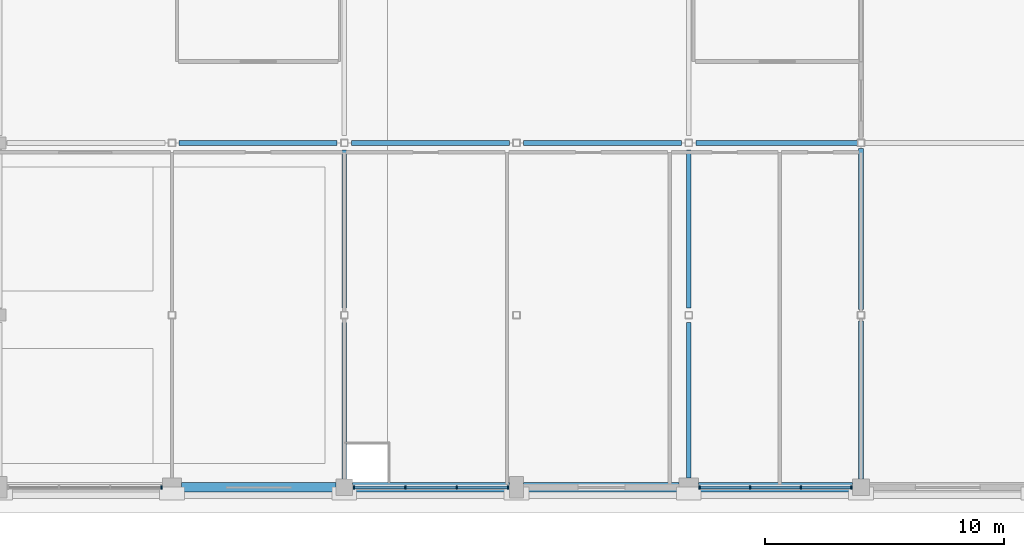
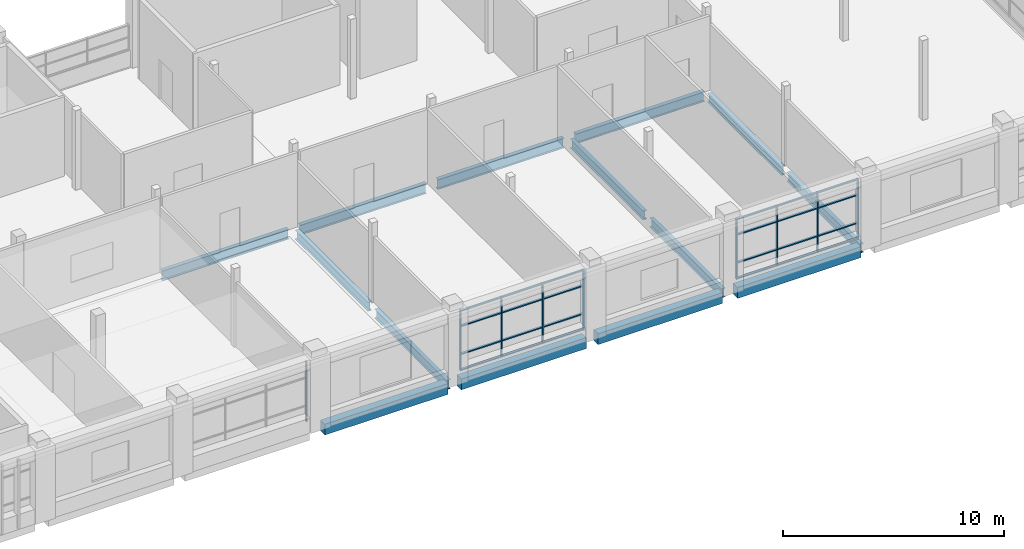
# One storey, part 19 of 71: 33 members, 14 beams, 3 elements without a shape of their own.
"""IFC4 building model written with IfcOpenShell, lengths in metres."""

from ifc_helpers import new_model, si_unit, direction, frame, origin, origin_2d, place, context, subcontext, project, spatial, rectangle, i_section, extrude, material, material_profile, profile_set, type_object, element, aggregate, save


model = new_model("IFC4")

# Units and contexts
model_context = context("Model", 3, precision=1e-05, world=origin(), true_north=direction((0.0, 1.0)))
body_context = subcontext(model_context, "Body", "Model", "MODEL_VIEW")
ifc_project = project(units=[si_unit("LENGTHUNIT", "METRE"), si_unit("AREAUNIT", "SQUARE_METRE"), si_unit("VOLUMEUNIT", "CUBIC_METRE"), si_unit("PLANEANGLEUNIT", "RADIAN"), si_unit("MASSUNIT", "GRAM", prefix="KILO")], contexts=[model_context])

# Site, building, storey
site_placement = place(None, origin())
site = spatial("IfcSite", under=ifc_project, at=site_placement, CompositionType="ELEMENT")
building_placement = place(site_placement, origin())
building = spatial("IfcBuilding", under=site, at=building_placement, Name="Sardonyx Promenade Sports Hall", CompositionType="ELEMENT")
storey_placement = place(building_placement, frame((0.0, 0.0, 16.0)))
storey = spatial("IfcBuildingStorey", under=building, at=storey_placement, Name="L03", CompositionType="ELEMENT", Elevation=16.0)

# Beams
ifc_material_1 = material(Name="Steel S355JR", Category="steel")
ifc_material_profile_1 = material_profile(ifc_material_1, i_section(OverallWidth=0.199951171875, OverallDepth=0.5, WebThickness=0.01025390625, FlangeThickness=0.01611328125, at=origin_2d()))
ifc_profile_set_1 = profile_set([ifc_material_profile_1], Name="Steel S355JR")
beam_type_1 = type_object("IfcBeamType", Name="Bm_Primary_IPE500", PredefinedType="BEAM", material=ifc_profile_set_1)
beam_1_placement = place(storey_placement, frame((72.0, 0.35009765625, -0.52001953125), z_axis=(0.0, 1.0, 0.0), x_axis=(-1.0, 0.0, 0.0)))
element("IfcBeam", 1, at=beam_1_placement, inside=storey, type_object=beam_type_1, Name="Beam SB06 L03 #849", PredefinedType="BEAM", context=body_context, shape_type="SweptSolid", body=[
    extrude(i_section(OverallWidth=0.199951171875, OverallDepth=0.5, WebThickness=0.01025390625, FlangeThickness=0.01611328125, at=origin_2d()), origin(), (0.0, 0.0, 1.0), 6.5498046875),
])
beam_2_placement = place(storey_placement, frame((72.0, 7.5, -0.52001953125), z_axis=(0.0, 1.0, 0.0), x_axis=(-1.0, 0.0, 0.0)))
element("IfcBeam", 2, at=beam_2_placement, inside=storey, type_object=beam_type_1, Name="Beam SB06 L03 #850", PredefinedType="BEAM", context=body_context, shape_type="SweptSolid", body=[
    extrude(i_section(OverallWidth=0.199951171875, OverallDepth=0.5, WebThickness=0.01025390625, FlangeThickness=0.01611328125, at=origin_2d()), origin(), (0.0, 0.0, 1.0), 6.60009765625),
])
beam_3_placement = place(storey_placement, frame((86.39990234375, 0.39990234375, -0.52001953125), z_axis=(0.0, 1.0, 0.0), x_axis=(-1.0, 0.0, 0.0)))
element("IfcBeam", 3, at=beam_3_placement, inside=storey, type_object=beam_type_1, Name="Beam SB06 L03 #857", PredefinedType="BEAM", context=body_context, shape_type="SweptSolid", body=[
    extrude(i_section(OverallWidth=0.199951171875, OverallDepth=0.5, WebThickness=0.01025390625, FlangeThickness=0.01611328125, at=origin_2d()), origin(), (0.0, 0.0, 1.0), 6.5),
])
beam_4_placement = place(storey_placement, frame((86.39990234375, 7.5, -0.52001953125), z_axis=(0.0, 1.0, 0.0), x_axis=(-1.0, 0.0, 0.0)))
element("IfcBeam", 4, at=beam_4_placement, inside=storey, type_object=beam_type_1, Name="Beam SB06 L03 #858", PredefinedType="BEAM", context=body_context, shape_type="SweptSolid", body=[
    extrude(i_section(OverallWidth=0.199951171875, OverallDepth=0.5, WebThickness=0.01025390625, FlangeThickness=0.01611328125, at=origin_2d()), origin(), (0.0, 0.0, 1.0), 6.60009765625),
])
beam_5_placement = place(storey_placement, frame((93.60009765625, 0.35009765625, -0.5400390625), z_axis=(0.0, 1.0, 0.0), x_axis=(-1.0, 0.0, 0.0)))
element("IfcBeam", 5, at=beam_5_placement, inside=storey, type_object=beam_type_1, Name="Beam SB06 L03 #861", PredefinedType="BEAM", context=body_context, shape_type="SweptSolid", body=[
    extrude(i_section(OverallWidth=0.199951171875, OverallDepth=0.5, WebThickness=0.01025390625, FlangeThickness=0.01611328125, at=origin_2d()), origin(), (0.0, 0.0, 1.0), 6.60498046875),
])
beam_6_placement = place(storey_placement, frame((93.60009765625, 7.445068359375, -0.5400390625), z_axis=(0.0, 1.0, 0.0), x_axis=(-1.0, 0.0, 0.0)))
element("IfcBeam", 6, at=beam_6_placement, inside=storey, type_object=beam_type_1, Name="Beam SB06 L03 #862", PredefinedType="BEAM", context=body_context, shape_type="SweptSolid", body=[
    extrude(i_section(OverallWidth=0.199951171875, OverallDepth=0.5, WebThickness=0.01025390625, FlangeThickness=0.01611328125, at=origin_2d()), origin(), (0.0, 0.0, 1.0), 6.7099609375),
])
ifc_material_2 = material(Name="Steel S355JR", Category="steel")
ifc_material_profile_2 = material_profile(ifc_material_2, i_section(OverallWidth=0.2099609375, OverallDepth=0.550048828125, WebThickness=0.010986328125, FlangeThickness=0.01708984375, at=origin_2d()))
ifc_profile_set_2 = profile_set([ifc_material_profile_2], Name="Steel S355JR")
beam_type_2 = type_object("IfcBeamType", Name="Bm_Primary_IPE550", PredefinedType="BEAM", material=ifc_profile_set_2)
for number, where, z_axis, x_axis, name in (
    (7, (65.10009765625, 14.39990234375, -0.544921875), (1.0, 0.0, 0.0), (0.0, 1.0, 0.0), "Beam SB03 L03 #738"),
    (8, (72.300048828125, 14.39990234375, -0.544921875), (1.0, 0.0, 0.0), (0.0, 1.0, 0.0), "Beam SB03 L03 #739"),
):
    element("IfcBeam", number, at=place(storey_placement, frame(where, z_axis=z_axis, x_axis=x_axis)), inside=storey, type_object=beam_type_2, Name=name, PredefinedType="BEAM", context=body_context, shape_type="SweptSolid", body=[
        extrude(i_section(OverallWidth=0.2099609375, OverallDepth=0.550048828125, WebThickness=0.010986328125, FlangeThickness=0.01708984375, at=origin_2d()), origin(), (0.0, 0.0, 1.0), 6.599853515625),
    ])
beam_7_placement = place(storey_placement, frame((79.5, 14.39990234375, -0.544921875), z_axis=(1.0, 0.0, 0.0), x_axis=(0.0, 1.0, 0.0)))
element("IfcBeam", 9, at=beam_7_placement, inside=storey, type_object=beam_type_2, Name="Beam SB03 L03 #740", PredefinedType="BEAM", context=body_context, shape_type="SweptSolid", body=[
    extrude(i_section(OverallWidth=0.2099609375, OverallDepth=0.550048828125, WebThickness=0.010986328125, FlangeThickness=0.01708984375, at=origin_2d()), origin(), (0.0, 0.0, 1.0), 6.60009765625),
])
beam_8_placement = place(storey_placement, frame((86.699951171875, 14.39990234375, -0.544921875), z_axis=(1.0, 0.0, 0.0), x_axis=(0.0, 1.0, 0.0)))
element("IfcBeam", 10, at=beam_8_placement, inside=storey, type_object=beam_type_2, Name="Beam SB03 L03 #741", PredefinedType="BEAM", context=body_context, shape_type="SweptSolid", body=[
    extrude(i_section(OverallWidth=0.2099609375, OverallDepth=0.550048828125, WebThickness=0.010986328125, FlangeThickness=0.01708984375, at=origin_2d()), origin(), (0.0, 0.0, 1.0), 6.75),
])
ifc_material_3 = material(Name="Concrete C40/50", Category="concrete")
ifc_material_profile_3 = material_profile(ifc_material_3, rectangle(XDim=0.39990234375, YDim=0.60009765625, at=origin_2d()))
ifc_profile_set_3 = profile_set([ifc_material_profile_3], Name="Concrete C40/50")
beam_type_3 = type_object("IfcBeamType", Name="Bm_Spandrel_RC600", PredefinedType="SPANDREL", material=ifc_profile_set_3)
beam_9_placement = place(storey_placement, frame((65.199951171875, 0.0, -0.300048828125), z_axis=(1.0, 0.0, 0.0), x_axis=(0.0, 1.0, 0.0)))
element("IfcBeam", 11, at=beam_9_placement, inside=storey, type_object=beam_type_3, Name="Beam SPB1 L03 #715", PredefinedType="SPANDREL", context=body_context, shape_type="SweptSolid", body=[
    extrude(rectangle(XDim=0.39990234375, YDim=0.60009765625, at=origin_2d()), origin(), (0.0, 0.0, 1.0), 6.449951171875),
])
beam_10_placement = place(storey_placement, frame((72.35009765625, 0.0, -0.300048828125), z_axis=(1.0, 0.0, 0.0), x_axis=(0.0, 1.0, 0.0)))
element("IfcBeam", 12, at=beam_10_placement, inside=storey, type_object=beam_type_3, Name="Beam SPB1 L03 #716", PredefinedType="SPANDREL", context=body_context, shape_type="SweptSolid", body=[
    extrude(rectangle(XDim=0.39990234375, YDim=0.60009765625, at=origin_2d()), origin(), (0.0, 0.0, 1.0), 6.5498046875),
])
beam_11_placement = place(storey_placement, frame((79.5, 0.0, -0.300048828125), z_axis=(1.0, 0.0, 0.0), x_axis=(0.0, 1.0, 0.0)))
element("IfcBeam", 13, at=beam_11_placement, inside=storey, type_object=beam_type_3, Name="Beam SPB1 L03 #717", PredefinedType="SPANDREL", context=body_context, shape_type="SweptSolid", body=[
    extrude(rectangle(XDim=0.39990234375, YDim=0.60009765625, at=origin_2d()), origin(), (0.0, 0.0, 1.0), 6.5),
])
beam_12_placement = place(storey_placement, frame((86.800048828125, 0.0, -0.300048828125), z_axis=(1.0, 0.0, 0.0), x_axis=(0.0, 1.0, 0.0)))
element("IfcBeam", 14, at=beam_12_placement, inside=storey, type_object=beam_type_3, Name="Beam SPB1 L03 #718", PredefinedType="SPANDREL", context=body_context, shape_type="SweptSolid", body=[
    extrude(rectangle(XDim=0.39990234375, YDim=0.60009765625, at=origin_2d()), origin(), (0.0, 0.0, 1.0), 6.449951171875),
])

# Curtain wall, members
ifc_material_4 = material(Name="Aluminium 6063-T6", Category="aluminium")
curtain_wall_type = type_object("IfcCurtainWallType", Name="CW_South_L03_640", PredefinedType="USERDEFINED", material=ifc_material_4)
curtain_wall_1_placement = place(storey_placement, origin())
curtain_wall_1 = element("IfcCurtainWall", 15, at=curtain_wall_1_placement, inside=storey, type_object=curtain_wall_type, Name="Curtain wall CW14 cw:L03:042", ObjectType="CURTAIN WALL", PredefinedType="USERDEFINED")
ifc_material_5 = material(Name="Aluminium 6063-T6", Category="aluminium")
ifc_material_profile_4 = material_profile(ifc_material_5, rectangle(XDim=0.06005859375, YDim=0.14990234375, at=origin_2d()))
ifc_profile_set_4 = profile_set([ifc_material_profile_4], Name="Aluminium 6063-T6")
member_type_1 = type_object("IfcMemberType", Name="CW_Mull_150", PredefinedType="MULLION", material=ifc_profile_set_4)
member_1_placement = place(storey_placement, frame((93.199951171875, 0.0, 0.35009765625), z_axis=(0.0, 0.0, 1.0), x_axis=(-1.0, 0.0, 0.0)))
member_1 = element("IfcMember", 16, at=member_1_placement, type_object=member_type_1, Name="Mullion CM01 cw:L03:042 #1", PredefinedType="MULLION", context=body_context, shape_type="SweptSolid", body=[
    extrude(rectangle(XDim=0.06005859375, YDim=0.14990234375, at=origin_2d()), origin(), (0.0, 0.0, 1.0), 3.324951171875),
])
member_2_placement = place(storey_placement, frame((91.083251953125, 0.0, 0.35009765625), z_axis=(0.0, 0.0, 1.0), x_axis=(-1.0, 0.0, 0.0)))
member_2 = element("IfcMember", 17, at=member_2_placement, type_object=member_type_1, Name="Mullion CM01 cw:L03:042 #2", PredefinedType="MULLION", context=body_context, shape_type="SweptSolid", body=[
    extrude(rectangle(XDim=0.06005859375, YDim=0.14990234375, at=origin_2d()), origin(), (0.0, 0.0, 1.0), 3.324951171875),
])
member_3_placement = place(storey_placement, frame((88.966552734375, 0.0, 0.35009765625), z_axis=(0.0, 0.0, 1.0), x_axis=(-1.0, 0.0, 0.0)))
member_3 = element("IfcMember", 18, at=member_3_placement, type_object=member_type_1, Name="Mullion CM01 cw:L03:042 #3", PredefinedType="MULLION", context=body_context, shape_type="SweptSolid", body=[
    extrude(rectangle(XDim=0.06005859375, YDim=0.14990234375, at=origin_2d()), origin(), (0.0, 0.0, 1.0), 3.324951171875),
])
member_4_placement = place(storey_placement, frame((86.85009765625, 0.0, 0.35009765625), z_axis=(0.0, 0.0, 1.0), x_axis=(-1.0, 0.0, 0.0)))
member_4 = element("IfcMember", 19, at=member_4_placement, type_object=member_type_1, Name="Mullion CM01 cw:L03:042 #4", PredefinedType="MULLION", context=body_context, shape_type="SweptSolid", body=[
    extrude(rectangle(XDim=0.06005859375, YDim=0.14990234375, at=origin_2d()), origin(), (0.0, 0.0, 1.0), 3.324951171875),
])

curtain_wall_2_placement = place(storey_placement, origin())
curtain_wall_2 = element("IfcCurtainWall", 20, at=curtain_wall_2_placement, inside=storey, type_object=curtain_wall_type, Name="Curtain wall CW14 cw:L03:043", ObjectType="CURTAIN WALL", PredefinedType="USERDEFINED")
member_5_placement = place(storey_placement, frame((78.85009765625, 0.0, 0.35009765625), z_axis=(0.0, 0.0, 1.0), x_axis=(-1.0, 0.0, 0.0)))
member_5 = element("IfcMember", 21, at=member_5_placement, type_object=member_type_1, Name="Mullion CM01 cw:L03:043 #1", PredefinedType="MULLION", context=body_context, shape_type="SweptSolid", body=[
    extrude(rectangle(XDim=0.06005859375, YDim=0.14990234375, at=origin_2d()), origin(), (0.0, 0.0, 1.0), 3.324951171875),
])
member_6_placement = place(storey_placement, frame((76.699951171875, 0.0, 0.35009765625), z_axis=(0.0, 0.0, 1.0), x_axis=(-1.0, 0.0, 0.0)))
member_6 = element("IfcMember", 22, at=member_6_placement, type_object=member_type_1, Name="Mullion CM01 cw:L03:043 #2", PredefinedType="MULLION", context=body_context, shape_type="SweptSolid", body=[
    extrude(rectangle(XDim=0.06005859375, YDim=0.14990234375, at=origin_2d()), origin(), (0.0, 0.0, 1.0), 3.324951171875),
])
member_7_placement = place(storey_placement, frame((74.550048828125, 0.0, 0.35009765625), z_axis=(0.0, 0.0, 1.0), x_axis=(-1.0, 0.0, 0.0)))
member_7 = element("IfcMember", 23, at=member_7_placement, type_object=member_type_1, Name="Mullion CM01 cw:L03:043 #3", PredefinedType="MULLION", context=body_context, shape_type="SweptSolid", body=[
    extrude(rectangle(XDim=0.06005859375, YDim=0.14990234375, at=origin_2d()), origin(), (0.0, 0.0, 1.0), 3.324951171875),
])
member_8_placement = place(storey_placement, frame((72.39990234375, 0.0, 0.35009765625), z_axis=(0.0, 0.0, 1.0), x_axis=(-1.0, 0.0, 0.0)))
member_8 = element("IfcMember", 24, at=member_8_placement, type_object=member_type_1, Name="Mullion CM01 cw:L03:043 #4", PredefinedType="MULLION", context=body_context, shape_type="SweptSolid", body=[
    extrude(rectangle(XDim=0.06005859375, YDim=0.14990234375, at=origin_2d()), origin(), (0.0, 0.0, 1.0), 3.324951171875),
])

# Curtain wall, member
curtain_wall_3_placement = place(storey_placement, origin())
curtain_wall_3 = element("IfcCurtainWall", 25, at=curtain_wall_3_placement, inside=storey, type_object=curtain_wall_type, Name="Curtain wall CW14 cw:L03:044", ObjectType="CURTAIN WALL", PredefinedType="USERDEFINED")
member_9_placement = place(storey_placement, frame((64.35009765625, 0.0, 0.35009765625), z_axis=(0.0, 0.0, 1.0), x_axis=(-1.0, 0.0, 0.0)))
member_9 = element("IfcMember", 26, at=member_9_placement, type_object=member_type_1, Name="Mullion CM01 cw:L03:044 #1", PredefinedType="MULLION", context=body_context, shape_type="SweptSolid", body=[
    extrude(rectangle(XDim=0.06005859375, YDim=0.14990234375, at=origin_2d()), origin(), (0.0, 0.0, 1.0), 3.324951171875),
])
aggregate(curtain_wall_3, [member_9])

# Member
ifc_material_6 = material(Name="Aluminium 6063-T6", Category="aluminium")
ifc_material_profile_5 = material_profile(ifc_material_6, rectangle(XDim=0.06005859375, YDim=0.1201171875, at=origin_2d()))
ifc_profile_set_5 = profile_set([ifc_material_profile_5], Name="Aluminium 6063-T6")
member_type_2 = type_object("IfcMemberType", Name="CW_Tran_120", PredefinedType="USERDEFINED", material=ifc_profile_set_5)
member_10_placement = place(storey_placement, frame((93.169921875, 0.0, 0.3798828125), z_axis=(-1.0, 0.0, 0.0), x_axis=(0.0, 0.0, 1.0)))
member_10 = element("IfcMember", 27, at=member_10_placement, type_object=member_type_2, Name="Transom CT01 cw:L03:042 #1", ObjectType="TRANSOM", PredefinedType="USERDEFINED", context=body_context, shape_type="SweptSolid", body=[
    extrude(rectangle(XDim=0.06005859375, YDim=0.1201171875, at=origin_2d()), origin(), (0.0, 0.0, 1.0), 2.056640625),
])

member_11_placement = place(storey_placement, frame((93.169921875, 0.0, 1.25), z_axis=(-1.0, 0.0, 0.0), x_axis=(0.0, 0.0, 1.0)))
member_11 = element("IfcMember", 28, at=member_11_placement, type_object=member_type_2, Name="Transom CT01 cw:L03:042 #2", ObjectType="TRANSOM", PredefinedType="USERDEFINED", context=body_context, shape_type="SweptSolid", body=[
    extrude(rectangle(XDim=0.06005859375, YDim=0.1201171875, at=origin_2d()), origin(), (0.0, 0.0, 1.0), 2.056640625),
])

member_12_placement = place(storey_placement, frame((93.169921875, 0.0, 2.800048828125), z_axis=(-1.0, 0.0, 0.0), x_axis=(0.0, 0.0, 1.0)))
member_12 = element("IfcMember", 29, at=member_12_placement, type_object=member_type_2, Name="Transom CT01 cw:L03:042 #3", ObjectType="TRANSOM", PredefinedType="USERDEFINED", context=body_context, shape_type="SweptSolid", body=[
    extrude(rectangle(XDim=0.06005859375, YDim=0.1201171875, at=origin_2d()), origin(), (0.0, 0.0, 1.0), 2.056640625),
])

member_13_placement = place(storey_placement, frame((93.169921875, 0.0, 3.64501953125), z_axis=(-1.0, 0.0, 0.0), x_axis=(0.0, 0.0, 1.0)))
member_13 = element("IfcMember", 30, at=member_13_placement, type_object=member_type_2, Name="Transom CT01 cw:L03:042 #4", ObjectType="TRANSOM", PredefinedType="USERDEFINED", context=body_context, shape_type="SweptSolid", body=[
    extrude(rectangle(XDim=0.06005859375, YDim=0.1201171875, at=origin_2d()), origin(), (0.0, 0.0, 1.0), 2.056640625),
])

member_14_placement = place(storey_placement, frame((91.05322265625, 0.0, 0.3798828125), z_axis=(-1.0, 0.0, 0.0), x_axis=(0.0, 0.0, 1.0)))
member_14 = element("IfcMember", 31, at=member_14_placement, type_object=member_type_2, Name="Transom CT01 cw:L03:042 #5", ObjectType="TRANSOM", PredefinedType="USERDEFINED", context=body_context, shape_type="SweptSolid", body=[
    extrude(rectangle(XDim=0.06005859375, YDim=0.1201171875, at=origin_2d()), origin(), (0.0, 0.0, 1.0), 2.056640625),
])

member_15_placement = place(storey_placement, frame((91.05322265625, 0.0, 1.25), z_axis=(-1.0, 0.0, 0.0), x_axis=(0.0, 0.0, 1.0)))
member_15 = element("IfcMember", 32, at=member_15_placement, type_object=member_type_2, Name="Transom CT01 cw:L03:042 #6", ObjectType="TRANSOM", PredefinedType="USERDEFINED", context=body_context, shape_type="SweptSolid", body=[
    extrude(rectangle(XDim=0.06005859375, YDim=0.1201171875, at=origin_2d()), origin(), (0.0, 0.0, 1.0), 2.056640625),
])

member_16_placement = place(storey_placement, frame((91.05322265625, 0.0, 2.800048828125), z_axis=(-1.0, 0.0, 0.0), x_axis=(0.0, 0.0, 1.0)))
member_16 = element("IfcMember", 33, at=member_16_placement, type_object=member_type_2, Name="Transom CT01 cw:L03:042 #7", ObjectType="TRANSOM", PredefinedType="USERDEFINED", context=body_context, shape_type="SweptSolid", body=[
    extrude(rectangle(XDim=0.06005859375, YDim=0.1201171875, at=origin_2d()), origin(), (0.0, 0.0, 1.0), 2.056640625),
])

member_17_placement = place(storey_placement, frame((91.05322265625, 0.0, 3.64501953125), z_axis=(-1.0, 0.0, 0.0), x_axis=(0.0, 0.0, 1.0)))
member_17 = element("IfcMember", 34, at=member_17_placement, type_object=member_type_2, Name="Transom CT01 cw:L03:042 #8", ObjectType="TRANSOM", PredefinedType="USERDEFINED", context=body_context, shape_type="SweptSolid", body=[
    extrude(rectangle(XDim=0.06005859375, YDim=0.1201171875, at=origin_2d()), origin(), (0.0, 0.0, 1.0), 2.056640625),
])

member_18_placement = place(storey_placement, frame((88.936767578125, 0.0, 0.3798828125), z_axis=(-1.0, 0.0, 0.0), x_axis=(0.0, 0.0, 1.0)))
member_18 = element("IfcMember", 35, at=member_18_placement, type_object=member_type_2, Name="Transom CT01 cw:L03:042 #9", ObjectType="TRANSOM", PredefinedType="USERDEFINED", context=body_context, shape_type="SweptSolid", body=[
    extrude(rectangle(XDim=0.06005859375, YDim=0.1201171875, at=origin_2d()), origin(), (0.0, 0.0, 1.0), 2.056884765625),
])

member_19_placement = place(storey_placement, frame((88.936767578125, 0.0, 1.25), z_axis=(-1.0, 0.0, 0.0), x_axis=(0.0, 0.0, 1.0)))
member_19 = element("IfcMember", 36, at=member_19_placement, type_object=member_type_2, Name="Transom CT01 cw:L03:042 #10", ObjectType="TRANSOM", PredefinedType="USERDEFINED", context=body_context, shape_type="SweptSolid", body=[
    extrude(rectangle(XDim=0.06005859375, YDim=0.1201171875, at=origin_2d()), origin(), (0.0, 0.0, 1.0), 2.056884765625),
])

member_20_placement = place(storey_placement, frame((88.936767578125, 0.0, 2.800048828125), z_axis=(-1.0, 0.0, 0.0), x_axis=(0.0, 0.0, 1.0)))
member_20 = element("IfcMember", 37, at=member_20_placement, type_object=member_type_2, Name="Transom CT01 cw:L03:042 #11", ObjectType="TRANSOM", PredefinedType="USERDEFINED", context=body_context, shape_type="SweptSolid", body=[
    extrude(rectangle(XDim=0.06005859375, YDim=0.1201171875, at=origin_2d()), origin(), (0.0, 0.0, 1.0), 2.056884765625),
])

member_21_placement = place(storey_placement, frame((88.936767578125, 0.0, 3.64501953125), z_axis=(-1.0, 0.0, 0.0), x_axis=(0.0, 0.0, 1.0)))
member_21 = element("IfcMember", 38, at=member_21_placement, type_object=member_type_2, Name="Transom CT01 cw:L03:042 #12", ObjectType="TRANSOM", PredefinedType="USERDEFINED", context=body_context, shape_type="SweptSolid", body=[
    extrude(rectangle(XDim=0.06005859375, YDim=0.1201171875, at=origin_2d()), origin(), (0.0, 0.0, 1.0), 2.056884765625),
])

aggregate(curtain_wall_1, [member_1, member_2, member_3, member_4, member_10, member_11, member_12, member_13, member_14, member_15, member_16, member_17, member_18, member_19, member_20, member_21])

member_22_placement = place(storey_placement, frame((78.820068359375, 0.0, 0.3798828125), z_axis=(-1.0, 0.0, 0.0), x_axis=(0.0, 0.0, 1.0)))
member_22 = element("IfcMember", 39, at=member_22_placement, type_object=member_type_2, Name="Transom CT01 cw:L03:043 #1", ObjectType="TRANSOM", PredefinedType="USERDEFINED", context=body_context, shape_type="SweptSolid", body=[
    extrude(rectangle(XDim=0.06005859375, YDim=0.1201171875, at=origin_2d()), origin(), (0.0, 0.0, 1.0), 2.090087890625),
])

member_23_placement = place(storey_placement, frame((78.820068359375, 0.0, 1.25), z_axis=(-1.0, 0.0, 0.0), x_axis=(0.0, 0.0, 1.0)))
member_23 = element("IfcMember", 40, at=member_23_placement, type_object=member_type_2, Name="Transom CT01 cw:L03:043 #2", ObjectType="TRANSOM", PredefinedType="USERDEFINED", context=body_context, shape_type="SweptSolid", body=[
    extrude(rectangle(XDim=0.06005859375, YDim=0.1201171875, at=origin_2d()), origin(), (0.0, 0.0, 1.0), 2.090087890625),
])

member_24_placement = place(storey_placement, frame((78.820068359375, 0.0, 2.800048828125), z_axis=(-1.0, 0.0, 0.0), x_axis=(0.0, 0.0, 1.0)))
member_24 = element("IfcMember", 41, at=member_24_placement, type_object=member_type_2, Name="Transom CT01 cw:L03:043 #3", ObjectType="TRANSOM", PredefinedType="USERDEFINED", context=body_context, shape_type="SweptSolid", body=[
    extrude(rectangle(XDim=0.06005859375, YDim=0.1201171875, at=origin_2d()), origin(), (0.0, 0.0, 1.0), 2.090087890625),
])

member_25_placement = place(storey_placement, frame((78.820068359375, 0.0, 3.64501953125), z_axis=(-1.0, 0.0, 0.0), x_axis=(0.0, 0.0, 1.0)))
member_25 = element("IfcMember", 42, at=member_25_placement, type_object=member_type_2, Name="Transom CT01 cw:L03:043 #4", ObjectType="TRANSOM", PredefinedType="USERDEFINED", context=body_context, shape_type="SweptSolid", body=[
    extrude(rectangle(XDim=0.06005859375, YDim=0.1201171875, at=origin_2d()), origin(), (0.0, 0.0, 1.0), 2.090087890625),
])

member_26_placement = place(storey_placement, frame((76.669921875, 0.0, 0.3798828125), z_axis=(-1.0, 0.0, 0.0), x_axis=(0.0, 0.0, 1.0)))
member_26 = element("IfcMember", 43, at=member_26_placement, type_object=member_type_2, Name="Transom CT01 cw:L03:043 #5", ObjectType="TRANSOM", PredefinedType="USERDEFINED", context=body_context, shape_type="SweptSolid", body=[
    extrude(rectangle(XDim=0.06005859375, YDim=0.1201171875, at=origin_2d()), origin(), (0.0, 0.0, 1.0), 2.08984375),
])

member_27_placement = place(storey_placement, frame((76.669921875, 0.0, 1.25), z_axis=(-1.0, 0.0, 0.0), x_axis=(0.0, 0.0, 1.0)))
member_27 = element("IfcMember", 44, at=member_27_placement, type_object=member_type_2, Name="Transom CT01 cw:L03:043 #6", ObjectType="TRANSOM", PredefinedType="USERDEFINED", context=body_context, shape_type="SweptSolid", body=[
    extrude(rectangle(XDim=0.06005859375, YDim=0.1201171875, at=origin_2d()), origin(), (0.0, 0.0, 1.0), 2.08984375),
])

member_28_placement = place(storey_placement, frame((76.669921875, 0.0, 2.800048828125), z_axis=(-1.0, 0.0, 0.0), x_axis=(0.0, 0.0, 1.0)))
member_28 = element("IfcMember", 45, at=member_28_placement, type_object=member_type_2, Name="Transom CT01 cw:L03:043 #7", ObjectType="TRANSOM", PredefinedType="USERDEFINED", context=body_context, shape_type="SweptSolid", body=[
    extrude(rectangle(XDim=0.06005859375, YDim=0.1201171875, at=origin_2d()), origin(), (0.0, 0.0, 1.0), 2.08984375),
])

member_29_placement = place(storey_placement, frame((76.669921875, 0.0, 3.64501953125), z_axis=(-1.0, 0.0, 0.0), x_axis=(0.0, 0.0, 1.0)))
member_29 = element("IfcMember", 46, at=member_29_placement, type_object=member_type_2, Name="Transom CT01 cw:L03:043 #8", ObjectType="TRANSOM", PredefinedType="USERDEFINED", context=body_context, shape_type="SweptSolid", body=[
    extrude(rectangle(XDim=0.06005859375, YDim=0.1201171875, at=origin_2d()), origin(), (0.0, 0.0, 1.0), 2.08984375),
])

member_30_placement = place(storey_placement, frame((74.52001953125, 0.0, 0.3798828125), z_axis=(-1.0, 0.0, 0.0), x_axis=(0.0, 0.0, 1.0)))
member_30 = element("IfcMember", 47, at=member_30_placement, type_object=member_type_2, Name="Transom CT01 cw:L03:043 #9", ObjectType="TRANSOM", PredefinedType="USERDEFINED", context=body_context, shape_type="SweptSolid", body=[
    extrude(rectangle(XDim=0.06005859375, YDim=0.1201171875, at=origin_2d()), origin(), (0.0, 0.0, 1.0), 2.090087890625),
])

member_31_placement = place(storey_placement, frame((74.52001953125, 0.0, 1.25), z_axis=(-1.0, 0.0, 0.0), x_axis=(0.0, 0.0, 1.0)))
member_31 = element("IfcMember", 48, at=member_31_placement, type_object=member_type_2, Name="Transom CT01 cw:L03:043 #10", ObjectType="TRANSOM", PredefinedType="USERDEFINED", context=body_context, shape_type="SweptSolid", body=[
    extrude(rectangle(XDim=0.06005859375, YDim=0.1201171875, at=origin_2d()), origin(), (0.0, 0.0, 1.0), 2.090087890625),
])

member_32_placement = place(storey_placement, frame((74.52001953125, 0.0, 2.800048828125), z_axis=(-1.0, 0.0, 0.0), x_axis=(0.0, 0.0, 1.0)))
member_32 = element("IfcMember", 49, at=member_32_placement, type_object=member_type_2, Name="Transom CT01 cw:L03:043 #11", ObjectType="TRANSOM", PredefinedType="USERDEFINED", context=body_context, shape_type="SweptSolid", body=[
    extrude(rectangle(XDim=0.06005859375, YDim=0.1201171875, at=origin_2d()), origin(), (0.0, 0.0, 1.0), 2.090087890625),
])

member_33_placement = place(storey_placement, frame((74.52001953125, 0.0, 3.64501953125), z_axis=(-1.0, 0.0, 0.0), x_axis=(0.0, 0.0, 1.0)))
member_33 = element("IfcMember", 50, at=member_33_placement, type_object=member_type_2, Name="Transom CT01 cw:L03:043 #12", ObjectType="TRANSOM", PredefinedType="USERDEFINED", context=body_context, shape_type="SweptSolid", body=[
    extrude(rectangle(XDim=0.06005859375, YDim=0.1201171875, at=origin_2d()), origin(), (0.0, 0.0, 1.0), 2.090087890625),
])

aggregate(curtain_wall_2, [member_5, member_6, member_7, member_8, member_22, member_23, member_24, member_25, member_26, member_27, member_28, member_29, member_30, member_31, member_32, member_33])

save(model, "model.ifc")
